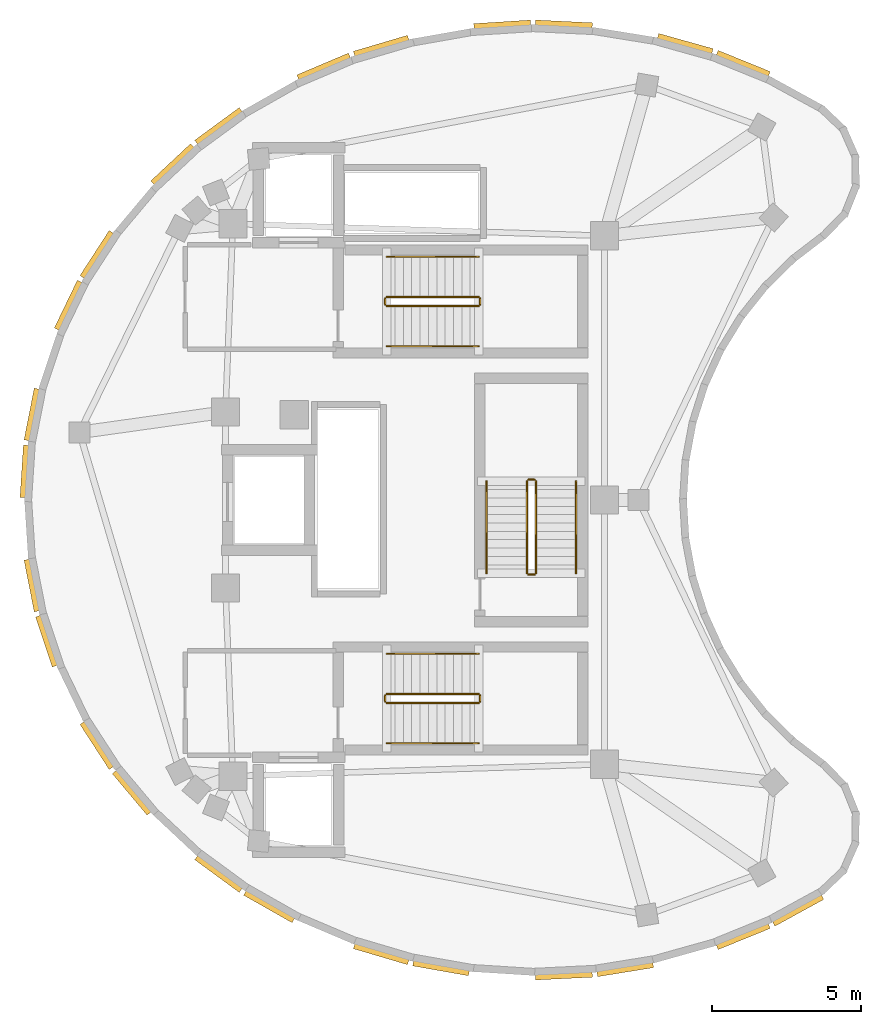
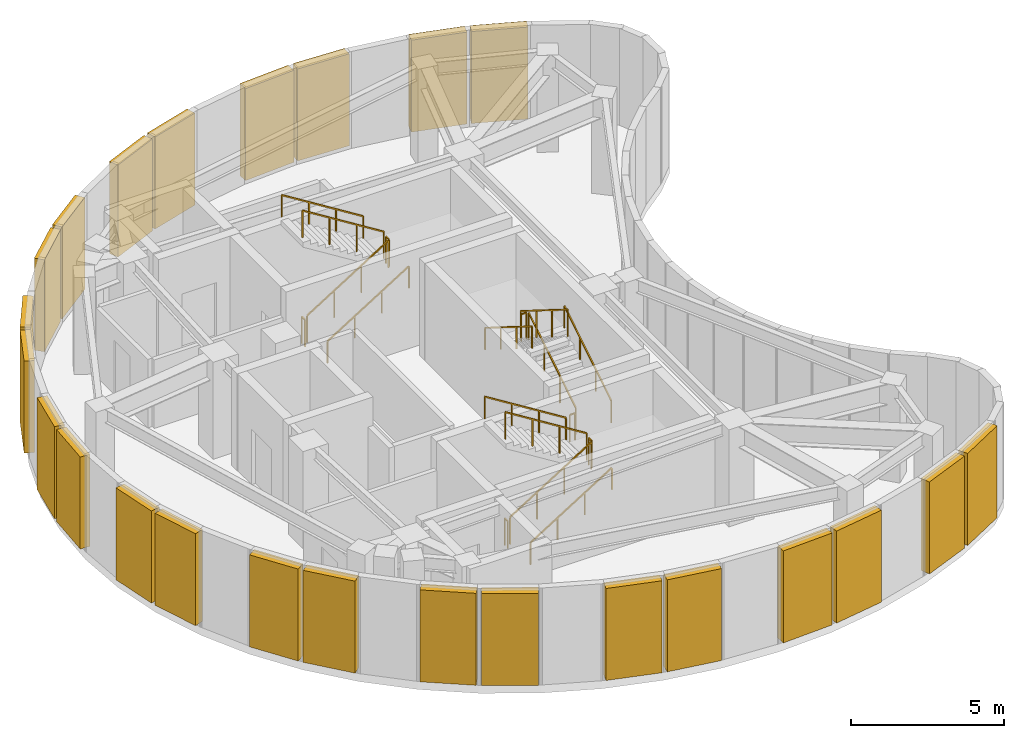
# One storey, part 5 of 5: 24 shading devices, 18 railings.
"""IFC4 building model written with IfcOpenShell, lengths in metres."""

from ifc_helpers import new_model, si_unit, direction, frame, origin, origin_2d, place, context, subcontext, project, spatial, rectangle, extrude, material, layer, layer_set, type_object, element, save


model = new_model("IFC4")

# Units and contexts
model_context = context("Model", 3, precision=1e-05, world=origin(), true_north=direction((0.0, 1.0)))
body_context = subcontext(model_context, "Body", "Model", "MODEL_VIEW")
ifc_project = project(units=[si_unit("LENGTHUNIT", "METRE"), si_unit("AREAUNIT", "SQUARE_METRE"), si_unit("VOLUMEUNIT", "CUBIC_METRE"), si_unit("PLANEANGLEUNIT", "RADIAN"), si_unit("MASSUNIT", "GRAM", prefix="KILO")], contexts=[model_context])

# Site, building, storey
site_placement = place(None, origin())
site = spatial("IfcSite", under=ifc_project, at=site_placement, CompositionType="ELEMENT")
building_placement = place(site_placement, origin())
building = spatial("IfcBuilding", under=site, at=building_placement, Name="Korentha Bioscience Tower", CompositionType="ELEMENT")
storey_placement = place(building_placement, frame((0.0, 0.0, 335.39990234375)))
storey = spatial("IfcBuildingStorey", under=building, at=storey_placement, Name="L77", CompositionType="ELEMENT", Elevation=335.39990234375)

# Shading devices
ifc_material_1 = material(Name="Powder-Coated Aluminium Louvre", Category="aluminium")
ifc_layer = layer(ifc_material_1, 0.1201171875, Name="Powder-Coated Aluminium Louvre")
ifc_layer_set = layer_set([ifc_layer], Name="Powder-Coated Aluminium Louvre (LV-350)")
shading_device_type = type_object("IfcShadingDeviceType", Name="Acoustic Weatherproof Aluminium Plant Louvre 350", PredefinedType="USERDEFINED", material=ifc_layer_set)
shading_device_1_placement = place(storey_placement, frame((42.1611328125, 41.54541015625, 0.10009765625), z_axis=(0.0, 0.0, 1.0), x_axis=(-0.926359180159, 0.376641300623, 0.0)))
element("IfcShadingDevice", 1, at=shading_device_1_placement, inside=storey, type_object=shading_device_type, Name="L77 Acoustic Plant Louvre 02", ObjectType="LOUVRE", PredefinedType="USERDEFINED", context=body_context, shape_type="SweptSolid", body=[
    extrude(rectangle(XDim=1.880126953125, YDim=0.35009765625, at=origin_2d()), origin(), (0.0, 0.0, 1.0), 3.679931640625),
])
shading_device_2_placement = place(storey_placement, frame((40.23046875, 42.205078125, 0.10009765625), z_axis=(0.0, 0.0, 1.0), x_axis=(-0.963048520455, 0.269327954824, 0.0)))
element("IfcShadingDevice", 2, at=shading_device_2_placement, inside=storey, type_object=shading_device_type, Name="L77 Acoustic Plant Louvre 03", ObjectType="LOUVRE", PredefinedType="USERDEFINED", context=body_context, shape_type="SweptSolid", body=[
    extrude(rectangle(XDim=1.891357421875, YDim=0.35009765625, at=origin_2d()), origin(), (0.0, 0.0, 1.0), 3.679931640625),
])
shading_device_3_placement = place(storey_placement, frame((36.18408203125, 42.859375, 0.10009765625), z_axis=(0.0, 0.0, 1.0), x_axis=(-0.998819818758, 0.048569225393, 0.0)))
element("IfcShadingDevice", 3, at=shading_device_3_placement, inside=storey, type_object=shading_device_type, Name="L77 Acoustic Plant Louvre 05", ObjectType="LOUVRE", PredefinedType="USERDEFINED", context=body_context, shape_type="SweptSolid", body=[
    extrude(rectangle(XDim=1.903076171875, YDim=0.35009765625, at=origin_2d()), origin(), (0.0, 0.0, 1.0), 3.679931640625),
])
shading_device_4_placement = place(storey_placement, frame((34.126708984375, 42.844482421875, 0.10009765625), z_axis=(0.0, 0.0, 1.0), x_axis=(-0.998018286833, -0.062924551232, 0.0)))
element("IfcShadingDevice", 4, at=shading_device_4_placement, inside=storey, type_object=shading_device_type, Name="L77 Acoustic Plant Louvre 06", ObjectType="LOUVRE", PredefinedType="USERDEFINED", context=body_context, shape_type="SweptSolid", body=[
    extrude(rectangle(XDim=1.90283203125, YDim=0.35009765625, at=origin_2d()), origin(), (0.0, 0.0, 1.0), 3.679931640625),
])
shading_device_5_placement = place(storey_placement, frame((30.091796875, 42.132080078125, 0.10009765625), z_axis=(0.0, 0.0, 1.0), x_axis=(-0.959016804336, -0.283349199754, 0.0)))
element("IfcShadingDevice", 5, at=shading_device_5_placement, inside=storey, type_object=shading_device_type, Name="L77 Acoustic Plant Louvre 08", ObjectType="LOUVRE", PredefinedType="USERDEFINED", context=body_context, shape_type="SweptSolid", body=[
    extrude(rectangle(XDim=1.89013671875, YDim=0.35009765625, at=origin_2d()), origin(), (0.0, 0.0, 1.0), 3.679931640625),
])
shading_device_6_placement = place(storey_placement, frame((28.17236328125, 41.444580078125, 0.10009765625), z_axis=(0.0, 0.0, 1.0), x_axis=(-0.920726030578, -0.390209657255, 0.0)))
element("IfcShadingDevice", 6, at=shading_device_6_placement, inside=storey, type_object=shading_device_type, Name="L77 Acoustic Plant Louvre 09", ObjectType="LOUVRE", PredefinedType="USERDEFINED", context=body_context, shape_type="SweptSolid", body=[
    extrude(rectangle(XDim=1.87841796875, YDim=0.35009765625, at=origin_2d()), origin(), (0.0, 0.0, 1.0), 3.679931640625),
])
shading_device_7_placement = place(storey_placement, frame((24.66845703125, 39.45703125, 0.10009765625), z_axis=(0.0, 0.0, 1.0), x_axis=(-0.806309956227, -0.591493241288, 0.0)))
element("IfcShadingDevice", 7, at=shading_device_7_placement, inside=storey, type_object=shading_device_type, Name="L77 Acoustic Plant Louvre 11", ObjectType="LOUVRE", PredefinedType="USERDEFINED", context=body_context, shape_type="SweptSolid", body=[
    extrude(rectangle(XDim=1.847412109375, YDim=0.35009765625, at=origin_2d()), origin(), (0.0, 0.0, 1.0), 3.679931640625),
])
shading_device_8_placement = place(storey_placement, frame((23.13427734375, 38.185546875, 0.10009765625), z_axis=(0.0, 0.0, 1.0), x_axis=(-0.730505135592, -0.682907202242, 0.0)))
element("IfcShadingDevice", 8, at=shading_device_8_placement, inside=storey, type_object=shading_device_type, Name="L77 Acoustic Plant Louvre 12", ObjectType="LOUVRE", PredefinedType="USERDEFINED", context=body_context, shape_type="SweptSolid", body=[
    extrude(rectangle(XDim=1.82958984375, YDim=0.35009765625, at=origin_2d()), origin(), (0.0, 0.0, 1.0), 3.679931640625),
])
shading_device_9_placement = place(storey_placement, frame((20.612060546875, 35.178955078125, 0.10009765625), z_axis=(0.0, 0.0, 1.0), x_axis=(-0.543673299057, -0.83929693428, 0.0)))
element("IfcShadingDevice", 9, at=shading_device_9_placement, inside=storey, type_object=shading_device_type, Name="L77 Acoustic Plant Louvre 14", ObjectType="LOUVRE", PredefinedType="USERDEFINED", context=body_context, shape_type="SweptSolid", body=[
    extrude(rectangle(XDim=1.794921875, YDim=0.35009765625, at=origin_2d()), origin(), (0.0, 0.0, 1.0), 3.679931640625),
])
shading_device_10_placement = place(storey_placement, frame((19.660400390625, 33.487060546875, 0.10009765625), z_axis=(0.0, 0.0, 1.0), x_axis=(-0.434508305035, -0.900667826036, 0.0)))
element("IfcShadingDevice", 10, at=shading_device_10_placement, inside=storey, type_object=shading_device_type, Name="L77 Acoustic Plant Louvre 15", ObjectType="LOUVRE", PredefinedType="USERDEFINED", context=body_context, shape_type="SweptSolid", body=[
    extrude(rectangle(XDim=1.77978515625, YDim=0.35009765625, at=origin_2d()), origin(), (0.0, 0.0, 1.0), 3.679931640625),
])
shading_device_11_placement = place(storey_placement, frame((18.444580078125, 29.848388671875, 0.10009765625), z_axis=(0.0, 0.0, 1.0), x_axis=(-0.192848333259, -0.981228577019, 0.0)))
element("IfcShadingDevice", 11, at=shading_device_11_placement, inside=storey, type_object=shading_device_type, Name="L77 Acoustic Plant Louvre 17", ObjectType="LOUVRE", PredefinedType="USERDEFINED", context=body_context, shape_type="SweptSolid", body=[
    extrude(rectangle(XDim=1.759033203125, YDim=0.35009765625, at=origin_2d()), origin(), (0.0, 0.0, 1.0), 3.679931640625),
])
shading_device_12_placement = place(storey_placement, frame((18.197998046875, 27.9541015625, 0.10009765625), z_axis=(0.0, 0.0, 1.0), x_axis=(-0.064761446595, -0.997900774143, 0.0)))
element("IfcShadingDevice", 12, at=shading_device_12_placement, inside=storey, type_object=shading_device_type, Name="L77 Acoustic Plant Louvre 18", ObjectType="LOUVRE", PredefinedType="USERDEFINED", context=body_context, shape_type="SweptSolid", body=[
    extrude(rectangle(XDim=1.754638671875, YDim=0.35009765625, at=origin_2d()), origin(), (0.0, 0.0, 1.0), 3.679931640625),
])
shading_device_13_placement = place(storey_placement, frame((18.444580078125, 24.151611328125, 0.10009765625), z_axis=(0.0, 0.0, 1.0), x_axis=(0.192848333259, -0.981228577019, 0.0)))
element("IfcShadingDevice", 13, at=shading_device_13_placement, inside=storey, type_object=shading_device_type, Name="L77 Acoustic Plant Louvre 20", ObjectType="LOUVRE", PredefinedType="USERDEFINED", context=body_context, shape_type="SweptSolid", body=[
    extrude(rectangle(XDim=1.759033203125, YDim=0.35009765625, at=origin_2d()), origin(), (0.0, 0.0, 1.0), 3.679931640625),
])
shading_device_14_placement = place(storey_placement, frame((18.9345703125, 22.29833984375, 0.10009765625), z_axis=(0.0, 0.0, 1.0), x_axis=(0.316896858972, -0.948460004836, 0.0)))
element("IfcShadingDevice", 14, at=shading_device_14_placement, inside=storey, type_object=shading_device_type, Name="L77 Acoustic Plant Louvre 21", ObjectType="LOUVRE", PredefinedType="USERDEFINED", context=body_context, shape_type="SweptSolid", body=[
    extrude(rectangle(XDim=1.767822265625, YDim=0.35009765625, at=origin_2d()), origin(), (0.0, 0.0, 1.0), 3.679931640625),
])
shading_device_15_placement = place(storey_placement, frame((20.612060546875, 18.821044921875, 0.10009765625), z_axis=(0.0, 0.0, 1.0), x_axis=(0.543673299057, -0.83929693428, 0.0)))
element("IfcShadingDevice", 15, at=shading_device_15_placement, inside=storey, type_object=shading_device_type, Name="L77 Acoustic Plant Louvre 23", ObjectType="LOUVRE", PredefinedType="USERDEFINED", context=body_context, shape_type="SweptSolid", body=[
    extrude(rectangle(XDim=1.794921875, YDim=0.35009765625, at=origin_2d()), origin(), (0.0, 0.0, 1.0), 3.679931640625),
])
shading_device_16_placement = place(storey_placement, frame((21.775634765625, 17.247314453125, 0.10009765625), z_axis=(0.0, 0.0, 1.0), x_axis=(0.642660280406, -0.766151267041, 0.0)))
element("IfcShadingDevice", 16, at=shading_device_16_placement, inside=storey, type_object=shading_device_type, Name="L77 Acoustic Plant Louvre 24", ObjectType="LOUVRE", PredefinedType="USERDEFINED", context=body_context, shape_type="SweptSolid", body=[
    extrude(rectangle(XDim=1.811767578125, YDim=0.35009765625, at=origin_2d()), origin(), (0.0, 0.0, 1.0), 3.679931640625),
])
shading_device_17_placement = place(storey_placement, frame((24.66845703125, 14.54296875, 0.10009765625), z_axis=(0.0, 0.0, 1.0), x_axis=(0.806309956227, -0.591493241288, 0.0)))
element("IfcShadingDevice", 17, at=shading_device_17_placement, inside=storey, type_object=shading_device_type, Name="L77 Acoustic Plant Louvre 26", ObjectType="LOUVRE", PredefinedType="USERDEFINED", context=body_context, shape_type="SweptSolid", body=[
    extrude(rectangle(XDim=1.847412109375, YDim=0.35009765625, at=origin_2d()), origin(), (0.0, 0.0, 1.0), 3.679931640625),
])
shading_device_18_placement = place(storey_placement, frame((26.35595703125, 13.451416015625, 0.10009765625), z_axis=(0.0, 0.0, 1.0), x_axis=(0.869801689284, -0.493401480865, 0.0)))
element("IfcShadingDevice", 18, at=shading_device_18_placement, inside=storey, type_object=shading_device_type, Name="L77 Acoustic Plant Louvre 27", ObjectType="LOUVRE", PredefinedType="USERDEFINED", context=body_context, shape_type="SweptSolid", body=[
    extrude(rectangle(XDim=1.864013671875, YDim=0.35009765625, at=origin_2d()), origin(), (0.0, 0.0, 1.0), 3.679931640625),
])
shading_device_19_placement = place(storey_placement, frame((30.091796875, 11.867919921875, 0.10009765625), z_axis=(0.0, 0.0, 1.0), x_axis=(0.959016804336, -0.283349199754, 0.0)))
element("IfcShadingDevice", 19, at=shading_device_19_placement, inside=storey, type_object=shading_device_type, Name="L77 Acoustic Plant Louvre 29", ObjectType="LOUVRE", PredefinedType="USERDEFINED", context=body_context, shape_type="SweptSolid", body=[
    extrude(rectangle(XDim=1.89013671875, YDim=0.35009765625, at=origin_2d()), origin(), (0.0, 0.0, 1.0), 3.679931640625),
])
shading_device_20_placement = place(storey_placement, frame((32.086181640625, 11.39892578125, 0.10009765625), z_axis=(0.0, 0.0, 1.0), x_axis=(0.984759094993, -0.173923905284, 0.0)))
element("IfcShadingDevice", 20, at=shading_device_20_placement, inside=storey, type_object=shading_device_type, Name="L77 Acoustic Plant Louvre 30", ObjectType="LOUVRE", PredefinedType="USERDEFINED", context=body_context, shape_type="SweptSolid", body=[
    extrude(rectangle(XDim=1.8984375, YDim=0.35009765625, at=origin_2d()), origin(), (0.0, 0.0, 1.0), 3.679931640625),
])
shading_device_21_placement = place(storey_placement, frame((36.18408203125, 11.140625, 0.10009765625), z_axis=(0.0, 0.0, 1.0), x_axis=(0.998819818758, 0.048569225393, 0.0)))
element("IfcShadingDevice", 21, at=shading_device_21_placement, inside=storey, type_object=shading_device_type, Name="L77 Acoustic Plant Louvre 32", ObjectType="LOUVRE", PredefinedType="USERDEFINED", context=body_context, shape_type="SweptSolid", body=[
    extrude(rectangle(XDim=1.903076171875, YDim=0.35009765625, at=origin_2d()), origin(), (0.0, 0.0, 1.0), 3.679931640625),
])
shading_device_22_placement = place(storey_placement, frame((38.228515625, 11.354736328125, 0.10009765625), z_axis=(0.0, 0.0, 1.0), x_axis=(0.98717651646, 0.1596324696, 0.0)))
element("IfcShadingDevice", 22, at=shading_device_22_placement, inside=storey, type_object=shading_device_type, Name="L77 Acoustic Plant Louvre 33", ObjectType="LOUVRE", PredefinedType="USERDEFINED", context=body_context, shape_type="SweptSolid", body=[
    extrude(rectangle(XDim=1.899169921875, YDim=0.35009765625, at=origin_2d()), origin(), (0.0, 0.0, 1.0), 3.679931640625),
])
shading_device_23_placement = place(storey_placement, frame((42.1611328125, 12.45458984375, 0.10009765625), z_axis=(0.0, 0.0, 1.0), x_axis=(0.926359180159, 0.376641300623, 0.0)))
element("IfcShadingDevice", 23, at=shading_device_23_placement, inside=storey, type_object=shading_device_type, Name="L77 Acoustic Plant Louvre 35", ObjectType="LOUVRE", PredefinedType="USERDEFINED", context=body_context, shape_type="SweptSolid", body=[
    extrude(rectangle(XDim=1.880126953125, YDim=0.35009765625, at=origin_2d()), origin(), (0.0, 0.0, 1.0), 3.679931640625),
])
shading_device_24_placement = place(storey_placement, frame((43.992431640625, 13.324462890625, 0.10009765625), z_axis=(0.0, 0.0, 1.0), x_axis=(0.877088841043, 0.480328184597, 0.0)))
element("IfcShadingDevice", 24, at=shading_device_24_placement, inside=storey, type_object=shading_device_type, Name="L77 Acoustic Plant Louvre 36", ObjectType="LOUVRE", PredefinedType="USERDEFINED", context=body_context, shape_type="SweptSolid", body=[
    extrude(rectangle(XDim=1.865966796875, YDim=0.35009765625, at=origin_2d()), origin(), (0.0, 0.0, 1.0), 3.679931640625),
])

# Railings
ifc_material_2 = material(Name="Stainless Steel 304", Category="steel")
railing_type_1 = type_object("IfcRailingType", Name="Brushed Stainless Stair Handrail 900", PredefinedType="HANDRAIL", material=ifc_material_2)
railing_1_placement = place(storey_placement, frame((30.25, 32.14990234375, 0.175048828125)))
element("IfcRailing", 25, at=railing_1_placement, inside=storey, type_object=railing_type_1, Name="L77 ST-1 stair handrail 1", PredefinedType="HANDRAIL", context=body_context, shape_type="SweptSolid", body=[
    extrude(rectangle(XDim=0.048095703125, YDim=0.048095703125, at=origin_2d()), frame((0.0, 0.0, 0.8759765625), z_axis=(0.847998304005, 0.0, 0.529998940003), x_axis=(0.0, 1.0, 0.0)), (0.0, 0.0, 1.0), 3.632080078125),
    extrude(rectangle(XDim=0.0419921875, YDim=0.0419921875, at=origin_2d()), origin(), (0.0, 0.0, 1.0), 0.851806640625),
    extrude(rectangle(XDim=0.0419921875, YDim=0.0419921875, at=origin_2d()), frame((1.026611328125, 0.0, 0.6416015625)), (0.0, 0.0, 1.0), 0.851806640625),
    extrude(rectangle(XDim=0.0419921875, YDim=0.0419921875, at=origin_2d()), frame((2.053466796875, 0.0, 1.283447265625)), (0.0, 0.0, 1.0), 0.851806640625),
    extrude(rectangle(XDim=0.0419921875, YDim=0.0419921875, at=origin_2d()), frame((3.080078125, 0.0, 1.925048828125)), (0.0, 0.0, 1.0), 0.851806640625),
])
railing_2_placement = place(storey_placement, frame((33.330078125, 35.14990234375, 2.275146484375)))
element("IfcRailing", 26, at=railing_2_placement, inside=storey, type_object=railing_type_1, Name="L77 ST-1 stair handrail 2", PredefinedType="HANDRAIL", context=body_context, shape_type="SweptSolid", body=[
    extrude(rectangle(XDim=0.048095703125, YDim=0.048095703125, at=origin_2d()), frame((0.0, 0.0, 0.8759765625), z_axis=(-0.847998304005, 0.0, 0.529998940003), x_axis=(0.0, -1.0, 0.0)), (0.0, 0.0, 1.0), 3.632080078125),
    extrude(rectangle(XDim=0.0419921875, YDim=0.0419921875, at=origin_2d()), origin(), (0.0, 0.0, 1.0), 0.851806640625),
    extrude(rectangle(XDim=0.0419921875, YDim=0.0419921875, at=origin_2d()), frame((-1.026611328125, 0.0, 0.6416015625)), (0.0, 0.0, 1.0), 0.851806640625),
    extrude(rectangle(XDim=0.0419921875, YDim=0.0419921875, at=origin_2d()), frame((-2.053466796875, 0.0, 1.283447265625)), (0.0, 0.0, 1.0), 0.851806640625),
    extrude(rectangle(XDim=0.0419921875, YDim=0.0419921875, at=origin_2d()), frame((-3.080078125, 0.0, 1.925048828125)), (0.0, 0.0, 1.0), 0.851806640625),
])
railing_3_placement = place(storey_placement, frame((30.25, 18.85009765625, 0.175048828125)))
element("IfcRailing", 27, at=railing_3_placement, inside=storey, type_object=railing_type_1, Name="L77 ST-2 stair handrail 1", PredefinedType="HANDRAIL", context=body_context, shape_type="SweptSolid", body=[
    extrude(rectangle(XDim=0.048095703125, YDim=0.048095703125, at=origin_2d()), frame((0.0, 0.0, 0.8759765625), z_axis=(0.847998304005, 0.0, 0.529998940003), x_axis=(0.0, 1.0, 0.0)), (0.0, 0.0, 1.0), 3.632080078125),
    extrude(rectangle(XDim=0.0419921875, YDim=0.0419921875, at=origin_2d()), origin(), (0.0, 0.0, 1.0), 0.851806640625),
    extrude(rectangle(XDim=0.0419921875, YDim=0.0419921875, at=origin_2d()), frame((1.026611328125, 0.0, 0.6416015625)), (0.0, 0.0, 1.0), 0.851806640625),
    extrude(rectangle(XDim=0.0419921875, YDim=0.0419921875, at=origin_2d()), frame((2.053466796875, 0.0, 1.283447265625)), (0.0, 0.0, 1.0), 0.851806640625),
    extrude(rectangle(XDim=0.0419921875, YDim=0.0419921875, at=origin_2d()), frame((3.080078125, 0.0, 1.925048828125)), (0.0, 0.0, 1.0), 0.851806640625),
])
railing_4_placement = place(storey_placement, frame((33.330078125, 21.85009765625, 2.275146484375)))
element("IfcRailing", 28, at=railing_4_placement, inside=storey, type_object=railing_type_1, Name="L77 ST-2 stair handrail 2", PredefinedType="HANDRAIL", context=body_context, shape_type="SweptSolid", body=[
    extrude(rectangle(XDim=0.048095703125, YDim=0.048095703125, at=origin_2d()), frame((0.0, 0.0, 0.8759765625), z_axis=(-0.847998304005, 0.0, 0.529998940003), x_axis=(0.0, -1.0, 0.0)), (0.0, 0.0, 1.0), 3.632080078125),
    extrude(rectangle(XDim=0.0419921875, YDim=0.0419921875, at=origin_2d()), origin(), (0.0, 0.0, 1.0), 0.851806640625),
    extrude(rectangle(XDim=0.0419921875, YDim=0.0419921875, at=origin_2d()), frame((-1.026611328125, 0.0, 0.6416015625)), (0.0, 0.0, 1.0), 0.851806640625),
    extrude(rectangle(XDim=0.0419921875, YDim=0.0419921875, at=origin_2d()), frame((-2.053466796875, 0.0, 1.283447265625)), (0.0, 0.0, 1.0), 0.851806640625),
    extrude(rectangle(XDim=0.0419921875, YDim=0.0419921875, at=origin_2d()), frame((-3.080078125, 0.0, 1.925048828125)), (0.0, 0.0, 1.0), 0.851806640625),
])
railing_5_placement = place(storey_placement, frame((36.60009765625, 24.550048828125, 0.175048828125)))
element("IfcRailing", 29, at=railing_5_placement, inside=storey, type_object=railing_type_1, Name="L77 ST-3 stair handrail 1", PredefinedType="HANDRAIL", context=body_context, shape_type="SweptSolid", body=[
    extrude(rectangle(XDim=0.048095703125, YDim=0.048095703125, at=origin_2d()), frame((0.0, 0.0, 0.8759765625), z_axis=(0.0, 0.847979421464, 0.530029150871), x_axis=(-1.0, 0.0, 0.0)), (0.0, 0.0, 1.0), 3.632080078125),
    extrude(rectangle(XDim=0.0419921875, YDim=0.0419921875, at=origin_2d()), origin(), (0.0, 0.0, 1.0), 0.851806640625),
    extrude(rectangle(XDim=0.0419921875, YDim=0.0419921875, at=origin_2d()), frame((0.0, 1.026611328125, 0.6416015625)), (0.0, 0.0, 1.0), 0.851806640625),
    extrude(rectangle(XDim=0.0419921875, YDim=0.0419921875, at=origin_2d()), frame((0.0, 2.05322265625, 1.283447265625)), (0.0, 0.0, 1.0), 0.851806640625),
    extrude(rectangle(XDim=0.0419921875, YDim=0.0419921875, at=origin_2d()), frame((0.0, 3.079833984375, 1.925048828125)), (0.0, 0.0, 1.0), 0.851806640625),
])
railing_6_placement = place(storey_placement, frame((33.60009765625, 27.6298828125, 2.275146484375)))
element("IfcRailing", 30, at=railing_6_placement, inside=storey, type_object=railing_type_1, Name="L77 ST-3 stair handrail 2", PredefinedType="HANDRAIL", context=body_context, shape_type="SweptSolid", body=[
    extrude(rectangle(XDim=0.048095703125, YDim=0.048095703125, at=origin_2d()), frame((0.0, 0.0, 0.8759765625), z_axis=(0.0, -0.847979421464, 0.530029150871), x_axis=(1.0, 0.0, 0.0)), (0.0, 0.0, 1.0), 3.632080078125),
    extrude(rectangle(XDim=0.0419921875, YDim=0.0419921875, at=origin_2d()), origin(), (0.0, 0.0, 1.0), 0.851806640625),
    extrude(rectangle(XDim=0.0419921875, YDim=0.0419921875, at=origin_2d()), frame((0.0, -1.026611328125, 0.6416015625)), (0.0, 0.0, 1.0), 0.851806640625),
    extrude(rectangle(XDim=0.0419921875, YDim=0.0419921875, at=origin_2d()), frame((0.0, -2.05322265625, 1.283447265625)), (0.0, 0.0, 1.0), 0.851806640625),
    extrude(rectangle(XDim=0.0419921875, YDim=0.0419921875, at=origin_2d()), frame((0.0, -3.079833984375, 1.925048828125)), (0.0, 0.0, 1.0), 0.851806640625),
])
ifc_material_3 = material(Name="Painted Steel S275", Category="steel")
railing_type_2 = type_object("IfcRailingType", Name="Painted Steel Stair Well Guardrail 1100", PredefinedType="GUARDRAIL", material=ifc_material_3)
railing_7_placement = place(storey_placement, frame((30.25, 33.5, 0.175048828125)))
element("IfcRailing", 31, at=railing_7_placement, inside=storey, type_object=railing_type_2, Name="L77 ST-1 stair guard 1", PredefinedType="GUARDRAIL", context=body_context, shape_type="SweptSolid", body=[
    extrude(rectangle(XDim=0.048095703125, YDim=0.048095703125, at=origin_2d()), frame((0.0, 0.0, 1.076171875), z_axis=(0.847998304005, 0.0, 0.529998940003), x_axis=(0.0, 1.0, 0.0)), (0.0, 0.0, 1.0), 3.632080078125),
    extrude(rectangle(XDim=0.0419921875, YDim=0.0419921875, at=origin_2d()), origin(), (0.0, 0.0, 1.0), 1.052001953125),
    extrude(rectangle(XDim=0.0419921875, YDim=0.0419921875, at=origin_2d()), frame((1.026611328125, 0.0, 0.6416015625)), (0.0, 0.0, 1.0), 1.052001953125),
    extrude(rectangle(XDim=0.0419921875, YDim=0.0419921875, at=origin_2d()), frame((2.053466796875, 0.0, 1.283447265625)), (0.0, 0.0, 1.0), 1.052001953125),
    extrude(rectangle(XDim=0.0419921875, YDim=0.0419921875, at=origin_2d()), frame((3.080078125, 0.0, 1.925048828125)), (0.0, 0.0, 1.0), 1.052001953125),
])
railing_8_placement = place(storey_placement, frame((33.3798828125, 33.550048828125, 2.10009765625)))
element("IfcRailing", 32, at=railing_8_placement, inside=storey, type_object=railing_type_2, Name="L77 ST-1 stair guard 2", PredefinedType="GUARDRAIL", context=body_context, shape_type="SweptSolid", body=[
    extrude(rectangle(XDim=0.048095703125, YDim=0.048095703125, at=origin_2d()), frame((0.0, 0.0, 1.076171875), z_axis=(0.0, 1.0, 0.0), x_axis=(-1.0, 0.0, 0.0)), (0.0, 0.0, 1.0), 0.199951171875),
    extrude(rectangle(XDim=0.0419921875, YDim=0.0419921875, at=origin_2d()), origin(), (0.0, 0.0, 1.0), 1.052001953125),
    extrude(rectangle(XDim=0.0419921875, YDim=0.0419921875, at=origin_2d()), frame((0.0, 0.199951171875, 0.0)), (0.0, 0.0, 1.0), 1.052001953125),
])
railing_9_placement = place(storey_placement, frame((33.330078125, 33.800048828125, 2.275146484375)))
element("IfcRailing", 33, at=railing_9_placement, inside=storey, type_object=railing_type_2, Name="L77 ST-1 stair guard 3", PredefinedType="GUARDRAIL", context=body_context, shape_type="SweptSolid", body=[
    extrude(rectangle(XDim=0.048095703125, YDim=0.048095703125, at=origin_2d()), frame((0.0, 0.0, 1.076171875), z_axis=(-0.847998304005, 0.0, 0.529998940003), x_axis=(0.0, -1.0, 0.0)), (0.0, 0.0, 1.0), 3.632080078125),
    extrude(rectangle(XDim=0.0419921875, YDim=0.0419921875, at=origin_2d()), origin(), (0.0, 0.0, 1.0), 1.052001953125),
    extrude(rectangle(XDim=0.0419921875, YDim=0.0419921875, at=origin_2d()), frame((-1.026611328125, 0.0, 0.6416015625)), (0.0, 0.0, 1.0), 1.052001953125),
    extrude(rectangle(XDim=0.0419921875, YDim=0.0419921875, at=origin_2d()), frame((-2.053466796875, 0.0, 1.283447265625)), (0.0, 0.0, 1.0), 1.052001953125),
    extrude(rectangle(XDim=0.0419921875, YDim=0.0419921875, at=origin_2d()), frame((-3.080078125, 0.0, 1.925048828125)), (0.0, 0.0, 1.0), 1.052001953125),
])
railing_10_placement = place(storey_placement, frame((30.199951171875, 33.550048828125, 0.0)))
element("IfcRailing", 34, at=railing_10_placement, inside=storey, type_object=railing_type_2, Name="L77 ST-1 stair guard 4", PredefinedType="GUARDRAIL", context=body_context, shape_type="SweptSolid", body=[
    extrude(rectangle(XDim=0.048095703125, YDim=0.048095703125, at=origin_2d()), frame((0.0, 0.0, 1.076171875), z_axis=(0.0, 1.0, 0.0), x_axis=(-1.0, 0.0, 0.0)), (0.0, 0.0, 1.0), 0.199951171875),
    extrude(rectangle(XDim=0.0419921875, YDim=0.0419921875, at=origin_2d()), origin(), (0.0, 0.0, 1.0), 1.052001953125),
    extrude(rectangle(XDim=0.0419921875, YDim=0.0419921875, at=origin_2d()), frame((0.0, 0.199951171875, 0.0)), (0.0, 0.0, 1.0), 1.052001953125),
])
railing_11_placement = place(storey_placement, frame((30.25, 20.199951171875, 0.175048828125)))
element("IfcRailing", 35, at=railing_11_placement, inside=storey, type_object=railing_type_2, Name="L77 ST-2 stair guard 1", PredefinedType="GUARDRAIL", context=body_context, shape_type="SweptSolid", body=[
    extrude(rectangle(XDim=0.048095703125, YDim=0.048095703125, at=origin_2d()), frame((0.0, 0.0, 1.076171875), z_axis=(0.847998304005, 0.0, 0.529998940003), x_axis=(0.0, 1.0, 0.0)), (0.0, 0.0, 1.0), 3.632080078125),
    extrude(rectangle(XDim=0.0419921875, YDim=0.0419921875, at=origin_2d()), origin(), (0.0, 0.0, 1.0), 1.052001953125),
    extrude(rectangle(XDim=0.0419921875, YDim=0.0419921875, at=origin_2d()), frame((1.026611328125, 0.0, 0.6416015625)), (0.0, 0.0, 1.0), 1.052001953125),
    extrude(rectangle(XDim=0.0419921875, YDim=0.0419921875, at=origin_2d()), frame((2.053466796875, 0.0, 1.283447265625)), (0.0, 0.0, 1.0), 1.052001953125),
    extrude(rectangle(XDim=0.0419921875, YDim=0.0419921875, at=origin_2d()), frame((3.080078125, 0.0, 1.925048828125)), (0.0, 0.0, 1.0), 1.052001953125),
])
railing_12_placement = place(storey_placement, frame((33.3798828125, 20.25, 2.10009765625)))
element("IfcRailing", 36, at=railing_12_placement, inside=storey, type_object=railing_type_2, Name="L77 ST-2 stair guard 2", PredefinedType="GUARDRAIL", context=body_context, shape_type="SweptSolid", body=[
    extrude(rectangle(XDim=0.048095703125, YDim=0.048095703125, at=origin_2d()), frame((0.0, 0.0, 1.076171875), z_axis=(0.0, 1.0, 0.0), x_axis=(-1.0, 0.0, 0.0)), (0.0, 0.0, 1.0), 0.199951171875),
    extrude(rectangle(XDim=0.0419921875, YDim=0.0419921875, at=origin_2d()), origin(), (0.0, 0.0, 1.0), 1.052001953125),
    extrude(rectangle(XDim=0.0419921875, YDim=0.0419921875, at=origin_2d()), frame((0.0, 0.199951171875, 0.0)), (0.0, 0.0, 1.0), 1.052001953125),
])
railing_13_placement = place(storey_placement, frame((33.330078125, 20.5, 2.275146484375)))
element("IfcRailing", 37, at=railing_13_placement, inside=storey, type_object=railing_type_2, Name="L77 ST-2 stair guard 3", PredefinedType="GUARDRAIL", context=body_context, shape_type="SweptSolid", body=[
    extrude(rectangle(XDim=0.048095703125, YDim=0.048095703125, at=origin_2d()), frame((0.0, 0.0, 1.076171875), z_axis=(-0.847998304005, 0.0, 0.529998940003), x_axis=(0.0, -1.0, 0.0)), (0.0, 0.0, 1.0), 3.632080078125),
    extrude(rectangle(XDim=0.0419921875, YDim=0.0419921875, at=origin_2d()), origin(), (0.0, 0.0, 1.0), 1.052001953125),
    extrude(rectangle(XDim=0.0419921875, YDim=0.0419921875, at=origin_2d()), frame((-1.026611328125, 0.0, 0.6416015625)), (0.0, 0.0, 1.0), 1.052001953125),
    extrude(rectangle(XDim=0.0419921875, YDim=0.0419921875, at=origin_2d()), frame((-2.053466796875, 0.0, 1.283447265625)), (0.0, 0.0, 1.0), 1.052001953125),
    extrude(rectangle(XDim=0.0419921875, YDim=0.0419921875, at=origin_2d()), frame((-3.080078125, 0.0, 1.925048828125)), (0.0, 0.0, 1.0), 1.052001953125),
])
railing_14_placement = place(storey_placement, frame((30.199951171875, 20.25, 0.0)))
element("IfcRailing", 38, at=railing_14_placement, inside=storey, type_object=railing_type_2, Name="L77 ST-2 stair guard 4", PredefinedType="GUARDRAIL", context=body_context, shape_type="SweptSolid", body=[
    extrude(rectangle(XDim=0.048095703125, YDim=0.048095703125, at=origin_2d()), frame((0.0, 0.0, 1.076171875), z_axis=(0.0, 1.0, 0.0), x_axis=(-1.0, 0.0, 0.0)), (0.0, 0.0, 1.0), 0.199951171875),
    extrude(rectangle(XDim=0.0419921875, YDim=0.0419921875, at=origin_2d()), origin(), (0.0, 0.0, 1.0), 1.052001953125),
    extrude(rectangle(XDim=0.0419921875, YDim=0.0419921875, at=origin_2d()), frame((0.0, 0.199951171875, 0.0)), (0.0, 0.0, 1.0), 1.052001953125),
])
railing_15_placement = place(storey_placement, frame((35.25, 24.550048828125, 0.175048828125)))
element("IfcRailing", 39, at=railing_15_placement, inside=storey, type_object=railing_type_2, Name="L77 ST-3 stair guard 1", PredefinedType="GUARDRAIL", context=body_context, shape_type="SweptSolid", body=[
    extrude(rectangle(XDim=0.048095703125, YDim=0.048095703125, at=origin_2d()), frame((0.0, 0.0, 1.076171875), z_axis=(0.0, 0.847979421464, 0.530029150871), x_axis=(-1.0, 0.0, 0.0)), (0.0, 0.0, 1.0), 3.632080078125),
    extrude(rectangle(XDim=0.0419921875, YDim=0.0419921875, at=origin_2d()), origin(), (0.0, 0.0, 1.0), 1.052001953125),
    extrude(rectangle(XDim=0.0419921875, YDim=0.0419921875, at=origin_2d()), frame((0.0, 1.026611328125, 0.6416015625)), (0.0, 0.0, 1.0), 1.052001953125),
    extrude(rectangle(XDim=0.0419921875, YDim=0.0419921875, at=origin_2d()), frame((0.0, 2.05322265625, 1.283447265625)), (0.0, 0.0, 1.0), 1.052001953125),
    extrude(rectangle(XDim=0.0419921875, YDim=0.0419921875, at=origin_2d()), frame((0.0, 3.079833984375, 1.925048828125)), (0.0, 0.0, 1.0), 1.052001953125),
])
railing_16_placement = place(storey_placement, frame((35.199951171875, 27.679931640625, 2.10009765625)))
element("IfcRailing", 40, at=railing_16_placement, inside=storey, type_object=railing_type_2, Name="L77 ST-3 stair guard 2", PredefinedType="GUARDRAIL", context=body_context, shape_type="SweptSolid", body=[
    extrude(rectangle(XDim=0.048095703125, YDim=0.048095703125, at=origin_2d()), frame((0.0, 0.0, 1.076171875), z_axis=(-1.0, 0.0, 0.0), x_axis=(0.0, -1.0, 0.0)), (0.0, 0.0, 1.0), 0.199951171875),
    extrude(rectangle(XDim=0.0419921875, YDim=0.0419921875, at=origin_2d()), origin(), (0.0, 0.0, 1.0), 1.052001953125),
    extrude(rectangle(XDim=0.0419921875, YDim=0.0419921875, at=origin_2d()), frame((-0.199951171875, 0.0, 0.0)), (0.0, 0.0, 1.0), 1.052001953125),
])
railing_17_placement = place(storey_placement, frame((34.949951171875, 27.6298828125, 2.275146484375)))
element("IfcRailing", 41, at=railing_17_placement, inside=storey, type_object=railing_type_2, Name="L77 ST-3 stair guard 3", PredefinedType="GUARDRAIL", context=body_context, shape_type="SweptSolid", body=[
    extrude(rectangle(XDim=0.048095703125, YDim=0.048095703125, at=origin_2d()), frame((0.0, 0.0, 1.076171875), z_axis=(0.0, -0.847979421464, 0.530029150871), x_axis=(1.0, 0.0, 0.0)), (0.0, 0.0, 1.0), 3.632080078125),
    extrude(rectangle(XDim=0.0419921875, YDim=0.0419921875, at=origin_2d()), origin(), (0.0, 0.0, 1.0), 1.052001953125),
    extrude(rectangle(XDim=0.0419921875, YDim=0.0419921875, at=origin_2d()), frame((0.0, -1.026611328125, 0.6416015625)), (0.0, 0.0, 1.0), 1.052001953125),
    extrude(rectangle(XDim=0.0419921875, YDim=0.0419921875, at=origin_2d()), frame((0.0, -2.05322265625, 1.283447265625)), (0.0, 0.0, 1.0), 1.052001953125),
    extrude(rectangle(XDim=0.0419921875, YDim=0.0419921875, at=origin_2d()), frame((0.0, -3.079833984375, 1.925048828125)), (0.0, 0.0, 1.0), 1.052001953125),
])
railing_18_placement = place(storey_placement, frame((35.199951171875, 24.5, 0.0)))
element("IfcRailing", 42, at=railing_18_placement, inside=storey, type_object=railing_type_2, Name="L77 ST-3 stair guard 4", PredefinedType="GUARDRAIL", context=body_context, shape_type="SweptSolid", body=[
    extrude(rectangle(XDim=0.048095703125, YDim=0.048095703125, at=origin_2d()), frame((0.0, 0.0, 1.076171875), z_axis=(-1.0, 0.0, 0.0), x_axis=(0.0, -1.0, 0.0)), (0.0, 0.0, 1.0), 0.199951171875),
    extrude(rectangle(XDim=0.0419921875, YDim=0.0419921875, at=origin_2d()), origin(), (0.0, 0.0, 1.0), 1.052001953125),
    extrude(rectangle(XDim=0.0419921875, YDim=0.0419921875, at=origin_2d()), frame((-0.199951171875, 0.0, 0.0)), (0.0, 0.0, 1.0), 1.052001953125),
])

save(model, "model.ifc")
